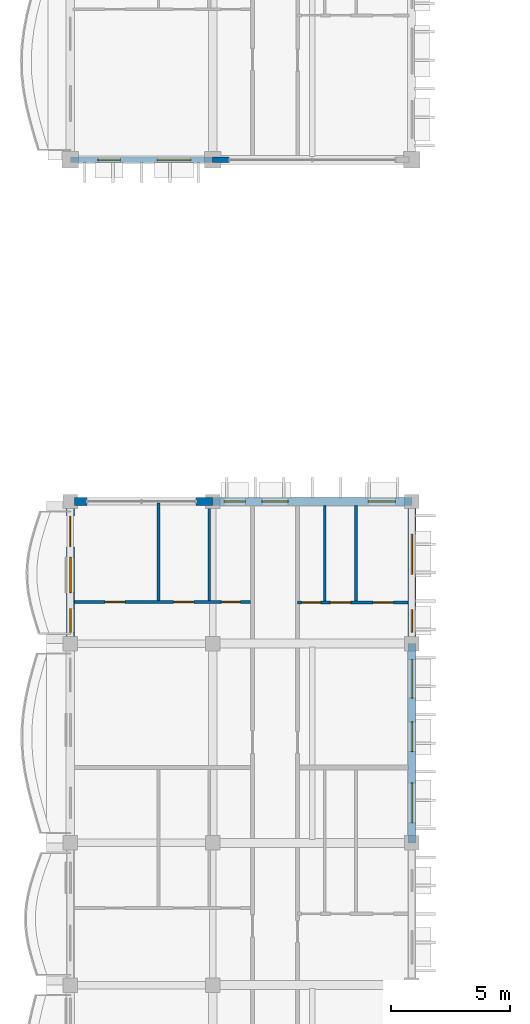
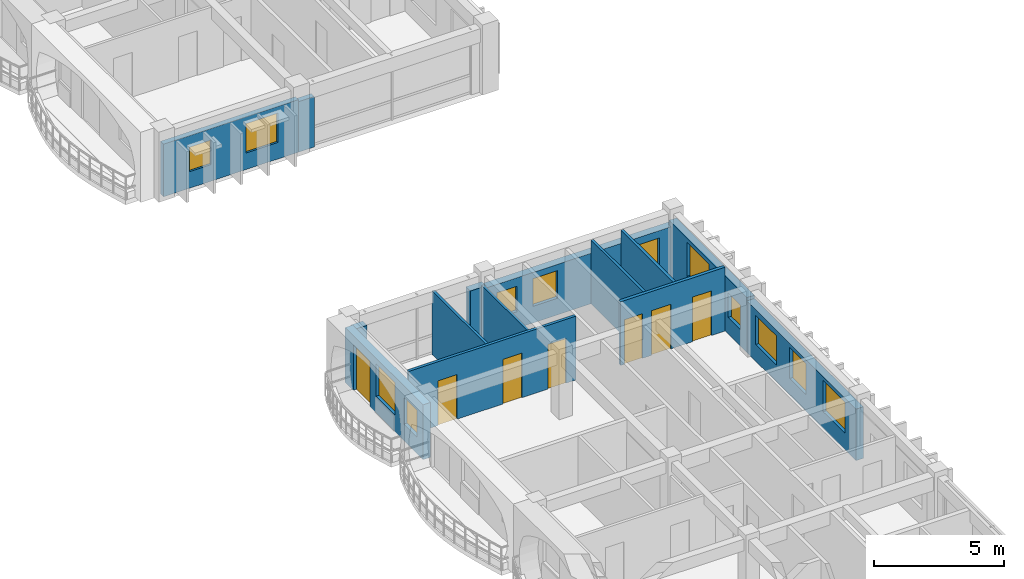
# One storey, part 30 of 79: 14 walls, 12 windows, 7 doors, 19 openings.
"""IFC4 building model written with IfcOpenShell, lengths in metres."""

from ifc_helpers import new_model, si_unit, direction, frame, frame_2d, origin, place, context, subcontext, project, spatial, rectangle, extrude, material, layer, layer_set, type_object, element, fill, save


model = new_model("IFC4")

# Units and contexts
model_context = context("Model", 3, precision=1e-05, world=origin(), true_north=direction((0.0, 1.0)))
body_context = subcontext(model_context, "Body", "Model", "MODEL_VIEW")
ifc_project = project(units=[si_unit("LENGTHUNIT", "METRE"), si_unit("AREAUNIT", "SQUARE_METRE"), si_unit("VOLUMEUNIT", "CUBIC_METRE"), si_unit("PLANEANGLEUNIT", "RADIAN"), si_unit("MASSUNIT", "GRAM", prefix="KILO"), si_unit("THERMODYNAMICTEMPERATUREUNIT", "KELVIN")], contexts=[model_context])

# Site, building, storey
site_placement = place(None, origin())
site = spatial("IfcSite", under=ifc_project, at=site_placement, CompositionType="ELEMENT")
building_placement = place(site_placement, origin())
building = spatial("IfcBuilding", under=site, at=building_placement, Name="Thalorik Housing Commons", CompositionType="ELEMENT")
storey_placement = place(building_placement, frame((0.0, 0.0, 11.39990234375)))
storey = spatial("IfcBuildingStorey", under=building, at=storey_placement, Name="L03", CompositionType="ELEMENT", Elevation=11.39990234375)

# Wall, openings, windows
ifc_material_1 = material(Name="White precast concrete C40/50", Category="concrete")
ifc_layer_1 = layer(ifc_material_1, 0.235107421875, Name="White precast concrete C40/50", Category="concrete")
ifc_layer_set_1 = layer_set([ifc_layer_1], Name="White precast concrete C40/50")
wall_type_1 = type_object("IfcWallType", Name="ARC-WAL-EXT-235", PredefinedType="STANDARD", material=ifc_layer_set_1)
wall_1_placement = place(storey_placement, frame((8.39990234375, 72.0, 0.0), z_axis=(0.0, 0.0, 1.0), x_axis=(1.0, 0.0, 0.0)))
wall_1 = element("IfcWall", 1, at=wall_1_placement, inside=storey, type_object=wall_type_1, Name="L03 Exterior Wall WAL-EXT-L03-A-0106", PredefinedType="STANDARD", context=body_context, shape_type="SweptSolid", body=[
    extrude(rectangle(XDim=6.0, YDim=0.235107421875, at=frame_2d((3.0, 0.0))), origin(), (0.0, 0.0, 1.0), 2.47509765625),
])
opening_1_placement = place(wall_1_placement, frame((1.155029296875, 0.0, 0.780029296875)))
opening_1 = element("IfcOpeningElement", 2, at=opening_1_placement, cuts=wall_1, Name="Opening W-43", PredefinedType="OPENING", context=body_context, shape_type="SweptSolid", body=[
    extrude(rectangle(XDim=0.949951171875, YDim=1.14990234375, at=frame_2d((0.47509765625, 0.574951171875))), frame((0.0, 0.12744140625, 0.0), z_axis=(0.0, -1.0, 0.0), x_axis=(1.0, 0.0, 0.0)), (0.0, 0.0, 1.0), 0.255126953125),
])
opening_2_placement = place(wall_1_placement, frame((3.659912109375, 0.0, 0.780029296875)))
opening_2 = element("IfcOpeningElement", 3, at=opening_2_placement, cuts=wall_1, Name="Opening W-50", PredefinedType="OPENING", context=body_context, shape_type="SweptSolid", body=[
    extrude(rectangle(XDim=1.419921875, YDim=1.3798828125, at=frame_2d((0.7099609375, 0.68994140625))), frame((0.0, 0.12744140625, 0.0), z_axis=(0.0, -1.0, 0.0), x_axis=(1.0, 0.0, 0.0)), (0.0, 0.0, 1.0), 0.255126953125),
])
ifc_material_2 = material(Name="Anodised aluminium and solar-control low-E glass", Category="aluminium")
window_type_1 = type_object("IfcWindowType", Name="ARC-WIN-43", PartitioningType="SINGLE_PANEL", PredefinedType="WINDOW", material=ifc_material_2)
window_1_placement = place(opening_1_placement, origin())
window_1 = element("IfcWindow", 4, at=window_1_placement, inside=storey, type_object=window_type_1, Name="L03 Facade Window 186", OverallHeight=1.14990234375, OverallWidth=0.949951171875, PartitioningType="SINGLE_PANEL", PredefinedType="WINDOW", context=body_context, shape_type="SweptSolid", body=[
    extrude(rectangle(XDim=0.949951171875, YDim=1.14990234375, at=frame_2d((0.47509765625, 0.574951171875))), frame((0.0, 0.030029296875, 0.0), z_axis=(0.0, -1.0, 0.0), x_axis=(1.0, 0.0, 0.0)), (0.0, 0.0, 1.0), 0.06005859375),
])
fill(opening_1, window_1)
window_type_2 = type_object("IfcWindowType", Name="ARC-WIN-50", PartitioningType="SINGLE_PANEL", PredefinedType="WINDOW", material=ifc_material_2)
window_2_placement = place(opening_2_placement, origin())
window_2 = element("IfcWindow", 5, at=window_2_placement, inside=storey, type_object=window_type_2, Name="L03 Facade Window 187", OverallHeight=1.3798828125, OverallWidth=1.419921875, PartitioningType="SINGLE_PANEL", PredefinedType="WINDOW", context=body_context, shape_type="SweptSolid", body=[
    extrude(rectangle(XDim=1.419921875, YDim=1.3798828125, at=frame_2d((0.7099609375, 0.68994140625))), frame((0.0, 0.030029296875, 0.0), z_axis=(0.0, -1.0, 0.0), x_axis=(1.0, 0.0, 0.0)), (0.0, 0.0, 1.0), 0.06005859375),
])
fill(opening_2, window_2)

# Wall
wall_2_placement = place(storey_placement, frame((14.39990234375, 72.0, 0.0), z_axis=(0.0, 0.0, 1.0), x_axis=(1.0, 0.0, 0.0)))
element("IfcWall", 6, at=wall_2_placement, inside=storey, type_object=wall_type_1, Name="L03 Exterior Wall WAL-PIERL-L03-A-0107", PredefinedType="STANDARD", context=body_context, shape_type="SweptSolid", body=[
    extrude(rectangle(XDim=0.7001953125, YDim=0.235107421875, at=frame_2d((0.35009765625, 0.0))), origin(), (0.0, 0.0, 1.0), 2.375),
])

# Wall, openings, windows
ifc_layer_2 = layer(ifc_material_1, 0.3349609375, Name="White precast concrete C40/50", Category="concrete")
ifc_layer_set_2 = layer_set([ifc_layer_2], Name="White precast concrete C40/50")
wall_type_2 = type_object("IfcWallType", Name="ARC-WAL-EXT-335", PredefinedType="STANDARD", material=ifc_layer_set_2)
wall_3_placement = place(storey_placement, frame((22.800048828125, 43.199951171875, 0.0), z_axis=(0.0, 0.0, 1.0), x_axis=(0.0, 1.0, 0.0)))
wall_3 = element("IfcWall", 7, at=wall_3_placement, inside=storey, type_object=wall_type_2, Name="L03 Exterior Wall WAL-EXT-L03-C-0908", PredefinedType="STANDARD", context=body_context, shape_type="SweptSolid", body=[
    extrude(rectangle(XDim=8.400146484375, YDim=0.3349609375, at=frame_2d((4.2001953125, 0.0))), origin(), (0.0, 0.0, 1.0), 2.425048828125),
])
opening_3_placement = place(wall_3_placement, frame((0.844970703125, 0.0, 0.780029296875)))
opening_3 = element("IfcOpeningElement", 8, at=opening_3_placement, cuts=wall_3, Name="Opening W-55", PredefinedType="OPENING", context=body_context, shape_type="SweptSolid", body=[
    extrude(rectangle(XDim=1.679931640625, YDim=1.4599609375, at=frame_2d((0.83984375, 0.72998046875))), frame((0.0, 0.177490234375, 0.0), z_axis=(0.0, -1.0, 0.0), x_axis=(1.0, 0.0, 0.0)), (0.0, 0.0, 1.0), 0.35498046875),
])
opening_4_placement = place(wall_3_placement, frame((3.847412109375, 0.0, 0.780029296875)))
opening_4 = element("IfcOpeningElement", 9, at=opening_4_placement, cuts=wall_3, Name="Opening W-47", PredefinedType="OPENING", context=body_context, shape_type="SweptSolid", body=[
    extrude(rectangle(XDim=1.25, YDim=1.449951171875, at=frame_2d((0.625, 0.72509765625))), frame((0.0, 0.177490234375, 0.0), z_axis=(0.0, -1.0, 0.0), x_axis=(1.0, 0.0, 0.0)), (0.0, 0.0, 1.0), 0.35498046875),
])
opening_5_placement = place(wall_3_placement, frame((6.107421875, 0.0, 0.780029296875)))
opening_5 = element("IfcOpeningElement", 10, at=opening_5_placement, cuts=wall_3, Name="Opening W-54", PredefinedType="OPENING", context=body_context, shape_type="SweptSolid", body=[
    extrude(rectangle(XDim=1.6201171875, YDim=1.3798828125, at=frame_2d((0.81005859375, 0.68994140625))), frame((0.0, 0.177490234375, 0.0), z_axis=(0.0, -1.0, 0.0), x_axis=(1.0, 0.0, 0.0)), (0.0, 0.0, 1.0), 0.35498046875),
])
window_type_3 = type_object("IfcWindowType", Name="ARC-WIN-47", PartitioningType="SINGLE_PANEL", PredefinedType="WINDOW", material=ifc_material_2)
window_3_placement = place(opening_4_placement, origin())
window_3 = element("IfcWindow", 11, at=window_3_placement, inside=storey, type_object=window_type_3, Name="L03 Facade Window 1680", OverallHeight=1.449951171875, OverallWidth=1.25, PartitioningType="SINGLE_PANEL", PredefinedType="WINDOW", context=body_context, shape_type="SweptSolid", body=[
    extrude(rectangle(XDim=1.25, YDim=1.449951171875, at=frame_2d((0.625, 0.72509765625))), frame((0.0, 0.030029296875, 0.0), z_axis=(0.0, -1.0, 0.0), x_axis=(1.0, 0.0, 0.0)), (0.0, 0.0, 1.0), 0.06005859375),
])
fill(opening_4, window_3)
window_type_4 = type_object("IfcWindowType", Name="ARC-WIN-54", PartitioningType="DOUBLE_PANEL_VERTICAL", PredefinedType="WINDOW", material=ifc_material_2)
window_4_placement = place(opening_5_placement, origin())
window_4 = element("IfcWindow", 12, at=window_4_placement, inside=storey, type_object=window_type_4, Name="L03 Facade Window 1681", OverallHeight=1.3798828125, OverallWidth=1.6201171875, PartitioningType="DOUBLE_PANEL_VERTICAL", PredefinedType="WINDOW", context=body_context, shape_type="SweptSolid", body=[
    extrude(rectangle(XDim=1.6201171875, YDim=1.3798828125, at=frame_2d((0.81005859375, 0.68994140625))), frame((0.0, 0.030029296875, 0.0), z_axis=(0.0, -1.0, 0.0), x_axis=(1.0, 0.0, 0.0)), (0.0, 0.0, 1.0), 0.06005859375),
])
fill(opening_5, window_4)
window_type_5 = type_object("IfcWindowType", Name="ARC-WIN-55", PartitioningType="DOUBLE_PANEL_VERTICAL", PredefinedType="WINDOW", material=ifc_material_2)
window_5_placement = place(opening_3_placement, origin())
window_5 = element("IfcWindow", 13, at=window_5_placement, inside=storey, type_object=window_type_5, Name="L03 Facade Window 1679", OverallHeight=1.4599609375, OverallWidth=1.679931640625, PartitioningType="DOUBLE_PANEL_VERTICAL", PredefinedType="WINDOW", context=body_context, shape_type="SweptSolid", body=[
    extrude(rectangle(XDim=1.679931640625, YDim=1.4599609375, at=frame_2d((0.83984375, 0.72998046875))), frame((0.0, 0.030029296875, 0.0), z_axis=(0.0, -1.0, 0.0), x_axis=(1.0, 0.0, 0.0)), (0.0, 0.0, 1.0), 0.06005859375),
])
fill(opening_3, window_5)

wall_4_placement = place(storey_placement, frame((22.800048828125, 51.60009765625, 0.0), z_axis=(0.0, 0.0, 1.0), x_axis=(0.0, 1.0, 0.0)))
wall_4 = element("IfcWall", 14, at=wall_4_placement, inside=storey, type_object=wall_type_2, Name="L03 Exterior Wall WAL-EXT-L03-C-0909", PredefinedType="STANDARD", context=body_context, shape_type="SweptSolid", body=[
    extrude(rectangle(XDim=6.0, YDim=0.3349609375, at=frame_2d((3.0, 0.0))), origin(), (0.0, 0.0, 1.0), 2.5751953125),
])
opening_6_placement = place(wall_4_placement, frame((0.48828125, 0.0, 0.780029296875)))
opening_6 = element("IfcOpeningElement", 15, at=opening_6_placement, cuts=wall_4, Name="Opening W-43", PredefinedType="OPENING", context=body_context, shape_type="SweptSolid", body=[
    extrude(rectangle(XDim=0.949951171875, YDim=1.14990234375, at=frame_2d((0.47509765625, 0.574951171875))), frame((0.0, 0.177490234375, 0.0), z_axis=(0.0, -1.0, 0.0), x_axis=(1.0, 0.0, 0.0)), (0.0, 0.0, 1.0), 0.35498046875),
])
opening_7_placement = place(wall_4_placement, frame((2.92333984375, 0.0, 0.780029296875)))
opening_7 = element("IfcOpeningElement", 16, at=opening_7_placement, cuts=wall_4, Name="Opening W-16", PredefinedType="OPENING", context=body_context, shape_type="SweptSolid", body=[
    extrude(rectangle(XDim=1.699951171875, YDim=1.60009765625, at=frame_2d((0.85009765625, 0.800048828125))), frame((0.0, 0.177490234375, 0.0), z_axis=(0.0, -1.0, 0.0), x_axis=(1.0, 0.0, 0.0)), (0.0, 0.0, 1.0), 0.35498046875),
])
window_type_6 = type_object("IfcWindowType", Name="ARC-WIN-16", PartitioningType="DOUBLE_PANEL_VERTICAL", PredefinedType="WINDOW", material=ifc_material_2)
window_6_placement = place(opening_7_placement, origin())
window_6 = element("IfcWindow", 17, at=window_6_placement, inside=storey, type_object=window_type_6, Name="L03 Facade Window 1683", OverallHeight=1.60009765625, OverallWidth=1.699951171875, PartitioningType="DOUBLE_PANEL_VERTICAL", PredefinedType="WINDOW", context=body_context, shape_type="SweptSolid", body=[
    extrude(rectangle(XDim=1.699951171875, YDim=1.60009765625, at=frame_2d((0.85009765625, 0.800048828125))), frame((0.0, 0.030029296875, 0.0), z_axis=(0.0, -1.0, 0.0), x_axis=(1.0, 0.0, 0.0)), (0.0, 0.0, 1.0), 0.06005859375),
])
fill(opening_7, window_6)
window_7_placement = place(opening_6_placement, origin())
window_7 = element("IfcWindow", 18, at=window_7_placement, inside=storey, type_object=window_type_1, Name="L03 Facade Window 1682", OverallHeight=1.14990234375, OverallWidth=0.949951171875, PartitioningType="SINGLE_PANEL", PredefinedType="WINDOW", context=body_context, shape_type="SweptSolid", body=[
    extrude(rectangle(XDim=0.949951171875, YDim=1.14990234375, at=frame_2d((0.47509765625, 0.574951171875))), frame((0.0, 0.030029296875, 0.0), z_axis=(0.0, -1.0, 0.0), x_axis=(1.0, 0.0, 0.0)), (0.0, 0.0, 1.0), 0.06005859375),
])
fill(opening_6, window_7)

wall_5_placement = place(storey_placement, frame((22.800048828125, 57.60009765625, 0.0), z_axis=(0.0, 0.0, 1.0), x_axis=(-1.0, 0.0, 0.0)))
wall_5 = element("IfcWall", 19, at=wall_5_placement, inside=storey, type_object=wall_type_2, Name="L03 Exterior Wall WAL-EXT-L03-C-0910", PredefinedType="STANDARD", context=body_context, shape_type="SweptSolid", body=[
    extrude(rectangle(XDim=8.400146484375, YDim=0.3349609375, at=frame_2d((4.2001953125, 0.0))), origin(), (0.0, 0.0, 1.0), 2.375),
])
opening_8_placement = place(wall_5_placement, frame((0.6923828125, 0.0, 0.780029296875)))
opening_8 = element("IfcOpeningElement", 20, at=opening_8_placement, cuts=wall_5, Name="Opening W-45", PredefinedType="OPENING", context=body_context, shape_type="SweptSolid", body=[
    extrude(rectangle(XDim=1.14990234375, YDim=1.25, at=frame_2d((0.574951171875, 0.625))), frame((0.0, 0.177490234375, 0.0), z_axis=(0.0, -1.0, 0.0), x_axis=(1.0, 0.0, 0.0)), (0.0, 0.0, 1.0), 0.35498046875),
])
opening_9_placement = place(wall_5_placement, frame((5.219970703125, 0.0, 0.780029296875)))
opening_9 = element("IfcOpeningElement", 21, at=opening_9_placement, cuts=wall_5, Name="Opening W-03", PredefinedType="OPENING", context=body_context, shape_type="SweptSolid", body=[
    extrude(rectangle(XDim=1.10009765625, YDim=1.300048828125, at=frame_2d((0.550048828125, 0.64990234375))), frame((0.0, 0.177490234375, 0.0), z_axis=(0.0, -1.0, 0.0), x_axis=(1.0, 0.0, 0.0)), (0.0, 0.0, 1.0), 0.35498046875),
])
opening_10_placement = place(wall_5_placement, frame((7.014892578125, 0.0, 0.780029296875)))
opening_10 = element("IfcOpeningElement", 22, at=opening_10_placement, cuts=wall_5, Name="Opening W-01", PredefinedType="OPENING", context=body_context, shape_type="SweptSolid", body=[
    extrude(rectangle(XDim=0.89990234375, YDim=1.199951171875, at=frame_2d((0.449951171875, 0.60009765625))), frame((0.0, 0.177490234375, 0.0), z_axis=(0.0, -1.0, 0.0), x_axis=(1.0, 0.0, 0.0)), (0.0, 0.0, 1.0), 0.35498046875),
])
window_type_7 = type_object("IfcWindowType", Name="ARC-WIN-01", PartitioningType="SINGLE_PANEL", PredefinedType="WINDOW", material=ifc_material_2)
window_8_placement = place(opening_10_placement, origin())
window_8 = element("IfcWindow", 23, at=window_8_placement, inside=storey, type_object=window_type_7, Name="L03 Facade Window 1686", OverallHeight=1.199951171875, OverallWidth=0.89990234375, PartitioningType="SINGLE_PANEL", PredefinedType="WINDOW", context=body_context, shape_type="SweptSolid", body=[
    extrude(rectangle(XDim=0.89990234375, YDim=1.199951171875, at=frame_2d((0.449951171875, 0.60009765625))), frame((0.0, 0.030029296875, 0.0), z_axis=(0.0, -1.0, 0.0), x_axis=(1.0, 0.0, 0.0)), (0.0, 0.0, 1.0), 0.06005859375),
])
fill(opening_10, window_8)
window_type_8 = type_object("IfcWindowType", Name="ARC-WIN-03", PartitioningType="SINGLE_PANEL", PredefinedType="WINDOW", material=ifc_material_2)
window_9_placement = place(opening_9_placement, origin())
window_9 = element("IfcWindow", 24, at=window_9_placement, inside=storey, type_object=window_type_8, Name="L03 Facade Window 1685", OverallHeight=1.300048828125, OverallWidth=1.10009765625, PartitioningType="SINGLE_PANEL", PredefinedType="WINDOW", context=body_context, shape_type="SweptSolid", body=[
    extrude(rectangle(XDim=1.10009765625, YDim=1.300048828125, at=frame_2d((0.550048828125, 0.64990234375))), frame((0.0, 0.030029296875, 0.0), z_axis=(0.0, -1.0, 0.0), x_axis=(1.0, 0.0, 0.0)), (0.0, 0.0, 1.0), 0.06005859375),
])
fill(opening_9, window_9)
window_type_9 = type_object("IfcWindowType", Name="ARC-WIN-45", PartitioningType="SINGLE_PANEL", PredefinedType="WINDOW", material=ifc_material_2)
window_10_placement = place(opening_8_placement, origin())
window_10 = element("IfcWindow", 25, at=window_10_placement, inside=storey, type_object=window_type_9, Name="L03 Facade Window 1684", OverallHeight=1.25, OverallWidth=1.14990234375, PartitioningType="SINGLE_PANEL", PredefinedType="WINDOW", context=body_context, shape_type="SweptSolid", body=[
    extrude(rectangle(XDim=1.14990234375, YDim=1.25, at=frame_2d((0.574951171875, 0.625))), frame((0.0, 0.030029296875, 0.0), z_axis=(0.0, -1.0, 0.0), x_axis=(1.0, 0.0, 0.0)), (0.0, 0.0, 1.0), 0.06005859375),
])
fill(opening_8, window_10)

# Walls
wall_6_placement = place(storey_placement, frame((14.39990234375, 57.60009765625, 0.0), z_axis=(0.0, 0.0, 1.0), x_axis=(-1.0, 0.0, 0.0)))
element("IfcWall", 26, at=wall_6_placement, inside=storey, type_object=wall_type_2, Name="L03 Exterior Wall WAL-PIERL-L03-C-0911", PredefinedType="STANDARD", context=body_context, shape_type="SweptSolid", body=[
    extrude(rectangle(XDim=0.699951171875, YDim=0.3349609375, at=frame_2d((0.35009765625, 0.0))), origin(), (0.0, 0.0, 1.0), 2.47509765625),
])
wall_7_placement = place(storey_placement, frame((9.10009765625, 57.60009765625, 0.0), z_axis=(0.0, 0.0, 1.0), x_axis=(-1.0, 0.0, 0.0)))
element("IfcWall", 27, at=wall_7_placement, inside=storey, type_object=wall_type_2, Name="L03 Exterior Wall WAL-PIERR-L03-C-0911", PredefinedType="STANDARD", context=body_context, shape_type="SweptSolid", body=[
    extrude(rectangle(XDim=0.530517578125, YDim=0.3349609375, at=frame_2d((0.26513671875, 0.0))), origin(), (0.0, 0.0, 1.0), 2.47509765625),
])

# Wall, openings, door, windows
wall_8_placement = place(storey_placement, frame((8.39990234375, 57.60009765625, 0.0), z_axis=(0.0, 0.0, 1.0), x_axis=(0.0, -1.0, 0.0)))
wall_8 = element("IfcWall", 28, at=wall_8_placement, inside=storey, type_object=wall_type_2, Name="L03 Exterior Wall WAL-EXT-L03-C-0912", PredefinedType="STANDARD", context=body_context, shape_type="SweptSolid", body=[
    extrude(rectangle(XDim=6.0, YDim=0.3349609375, at=frame_2d((3.0, 0.0))), origin(), (0.0, 0.0, 1.0), 2.5751953125),
])
opening_11_placement = place(wall_8_placement, frame((0.6201171875, 0.0, 0.0)))
opening_11 = element("IfcOpeningElement", 29, at=opening_11_placement, cuts=wall_8, Name="Opening ED-0298", PredefinedType="OPENING", context=body_context, shape_type="SweptSolid", body=[
    extrude(rectangle(XDim=1.300048828125, YDim=2.14990234375, at=frame_2d((0.64990234375, 1.074951171875))), frame((0.0, 0.177490234375, 0.0), z_axis=(0.0, -1.0, 0.0), x_axis=(1.0, 0.0, 0.0)), (0.0, 0.0, 1.0), 0.35498046875),
])
opening_12_placement = place(wall_8_placement, frame((2.364990234375, 0.0, 0.780029296875)))
opening_12 = element("IfcOpeningElement", 30, at=opening_12_placement, cuts=wall_8, Name="Opening W-51", PredefinedType="OPENING", context=body_context, shape_type="SweptSolid", body=[
    extrude(rectangle(XDim=1.47998046875, YDim=1.52001953125, at=frame_2d((0.739990234375, 0.760009765625))), frame((0.0, 0.177490234375, 0.0), z_axis=(0.0, -1.0, 0.0), x_axis=(1.0, 0.0, 0.0)), (0.0, 0.0, 1.0), 0.35498046875),
])
opening_13_placement = place(wall_8_placement, frame((4.52490234375, 0.0, 0.780029296875)))
opening_13 = element("IfcOpeningElement", 31, at=opening_13_placement, cuts=wall_8, Name="Opening W-02", PredefinedType="OPENING", context=body_context, shape_type="SweptSolid", body=[
    extrude(rectangle(XDim=1.0, YDim=1.25, at=frame_2d((0.5, 0.625))), frame((0.0, 0.177490234375, 0.0), z_axis=(0.0, -1.0, 0.0), x_axis=(1.0, 0.0, 0.0)), (0.0, 0.0, 1.0), 0.35498046875),
])
ifc_material_3 = material(Name="Anodised aluminium and laminated safety glass", Category="aluminium")
door_type_1 = type_object("IfcDoorType", Name="ARC-DR-BAL-1300", OperationType="NOTDEFINED", PredefinedType="DOOR", material=ifc_material_3)
door_1_placement = place(opening_11_placement, frame((1.300048828125, 0.0, 0.0), z_axis=(0.0, 0.0, 1.0), x_axis=(-1.0, 0.0, 0.0)))
door_1 = element("IfcDoor", 32, at=door_1_placement, inside=storey, type_object=door_type_1, Name="L03 Block C Balcony Glazed Door", OperationType="SINGLE_SWING_LEFT", OverallHeight=2.14990234375, OverallWidth=1.300048828125, PredefinedType="DOOR", context=body_context, shape_type="SweptSolid", body=[
    extrude(rectangle(XDim=1.300048828125, YDim=2.14990234375, at=frame_2d((0.64990234375, 1.074951171875))), frame((0.0, 0.02490234375, 0.0), z_axis=(0.0, -1.0, 0.0), x_axis=(1.0, 0.0, 0.0)), (0.0, 0.0, 1.0), 0.050048828125),
])
fill(opening_11, door_1)
window_type_10 = type_object("IfcWindowType", Name="ARC-WIN-02", PartitioningType="SINGLE_PANEL", PredefinedType="WINDOW", material=ifc_material_2)
window_11_placement = place(opening_13_placement, origin())
window_11 = element("IfcWindow", 33, at=window_11_placement, inside=storey, type_object=window_type_10, Name="L03 Facade Window 1688", OverallHeight=1.25, OverallWidth=1.0, PartitioningType="SINGLE_PANEL", PredefinedType="WINDOW", context=body_context, shape_type="SweptSolid", body=[
    extrude(rectangle(XDim=1.0, YDim=1.25, at=frame_2d((0.5, 0.625))), frame((0.0, 0.030029296875, 0.0), z_axis=(0.0, -1.0, 0.0), x_axis=(1.0, 0.0, 0.0)), (0.0, 0.0, 1.0), 0.06005859375),
])
fill(opening_13, window_11)
window_type_11 = type_object("IfcWindowType", Name="ARC-WIN-51", PartitioningType="SINGLE_PANEL", PredefinedType="WINDOW", material=ifc_material_2)
window_12_placement = place(opening_12_placement, origin())
window_12 = element("IfcWindow", 34, at=window_12_placement, inside=storey, type_object=window_type_11, Name="L03 Facade Window 1687", OverallHeight=1.52001953125, OverallWidth=1.47998046875, PartitioningType="SINGLE_PANEL", PredefinedType="WINDOW", context=body_context, shape_type="SweptSolid", body=[
    extrude(rectangle(XDim=1.47998046875, YDim=1.52001953125, at=frame_2d((0.739990234375, 0.760009765625))), frame((0.0, 0.030029296875, 0.0), z_axis=(0.0, -1.0, 0.0), x_axis=(1.0, 0.0, 0.0)), (0.0, 0.0, 1.0), 0.06005859375),
])
fill(opening_12, window_12)

# Walls
ifc_material_4 = material(Name="Gypsum light stud partition", Category="masonry")
ifc_layer_3 = layer(ifc_material_4, 0.10009765625, Name="Gypsum light stud partition", Category="masonry")
ifc_layer_set_3 = layer_set([ifc_layer_3], Name="Gypsum light stud partition")
wall_type_3 = type_object("IfcWallType", Name="ARC-WAL-PART-100", PredefinedType="PARTITIONING", material=ifc_layer_set_3)
wall_9_placement = place(storey_placement, frame((14.251220703125, 53.424560546875, 0.0), z_axis=(0.0, 0.0, 1.0), x_axis=(0.0, 1.0, 0.0)))
element("IfcWall", 35, at=wall_9_placement, inside=storey, type_object=wall_type_3, Name="L03 Unit 3 Wet Wall", PredefinedType="PARTITIONING", context=body_context, shape_type="SweptSolid", body=[
    extrude(rectangle(XDim=4.005859375, YDim=0.10009765625, at=frame_2d((2.0029296875, 0.0))), origin(), (0.0, 0.0, 1.0), 2.5751953125),
])
ifc_material_5 = material(Name="Gypsum moisture-resistant partition", Category="masonry")
ifc_layer_4 = layer(ifc_material_5, 0.114990234375, Name="Gypsum moisture-resistant partition", Category="masonry")
ifc_layer_set_4 = layer_set([ifc_layer_4], Name="Gypsum moisture-resistant partition")
wall_type_4 = type_object("IfcWallType", Name="ARC-WAL-PART-115", PredefinedType="PARTITIONING", material=ifc_layer_set_4)
wall_10_placement = place(storey_placement, frame((12.11767578125, 53.424560546875, 0.0), z_axis=(0.0, 0.0, 1.0), x_axis=(0.0, 1.0, 0.0)))
element("IfcWall", 36, at=wall_10_placement, inside=storey, type_object=wall_type_4, Name="L03 Unit 3 Bedroom Partition", PredefinedType="PARTITIONING", context=body_context, shape_type="SweptSolid", body=[
    extrude(rectangle(XDim=4.115478515625, YDim=0.114990234375, at=frame_2d((2.0576171875, 0.0))), origin(), (0.0, 0.0, 1.0), 3.0),
])
wall_11_placement = place(storey_placement, frame((19.122314453125, 53.40869140625, 0.0), z_axis=(0.0, 0.0, 1.0), x_axis=(0.0, 1.0, 0.0)))
element("IfcWall", 37, at=wall_11_placement, inside=storey, type_object=wall_type_4, Name="L03 Unit 3B Wet Wall", PredefinedType="PARTITIONING", context=body_context, shape_type="SweptSolid", body=[
    extrude(rectangle(XDim=4.021728515625, YDim=0.114990234375, at=frame_2d((2.0107421875, 0.0))), origin(), (0.0, 0.0, 1.0), 3.0),
])

# Wall, openings, doors
ifc_material_6 = material(Name="Gypsum acoustic stud partition", Category="masonry")
ifc_layer_5 = layer(ifc_material_6, 0.125, Name="Gypsum acoustic stud partition", Category="masonry")
ifc_layer_set_5 = layer_set([ifc_layer_5], Name="Gypsum acoustic stud partition")
wall_type_5 = type_object("IfcWallType", Name="ARC-WAL-PART-125", PredefinedType="PARTITIONING", material=ifc_layer_set_5)
wall_12_placement = place(storey_placement, frame((8.569580078125, 53.360107421875, 0.0), z_axis=(0.0, 0.0, 1.0), x_axis=(1.0, 0.0, 0.0)))
wall_12 = element("IfcWall", 38, at=wall_12_placement, inside=storey, type_object=wall_type_5, Name="L03 Unit 3 Spine Partition", PredefinedType="PARTITIONING", context=body_context, shape_type="SweptSolid", body=[
    extrude(rectangle(XDim=7.433349609375, YDim=0.125, at=frame_2d((3.716796875, 0.0))), origin(), (0.0, 0.0, 1.0), 3.0),
])
opening_14_placement = place(wall_12_placement, frame((1.294189453125, 0.0, 0.0)))
opening_14 = element("IfcOpeningElement", 39, at=opening_14_placement, cuts=wall_12, Name="Opening ID-1662", PredefinedType="OPENING", context=body_context, shape_type="SweptSolid", body=[
    extrude(rectangle(XDim=0.85009765625, YDim=2.10009765625, at=frame_2d((0.425048828125, 1.050048828125))), frame((0.0, 0.072509765625, 0.0), z_axis=(0.0, -1.0, 0.0), x_axis=(1.0, 0.0, 0.0)), (0.0, 0.0, 1.0), 0.14501953125),
])
opening_15_placement = place(wall_12_placement, frame((4.18994140625, 0.0, 0.0)))
opening_15 = element("IfcOpeningElement", 40, at=opening_15_placement, cuts=wall_12, Name="Opening ID-1663", PredefinedType="OPENING", context=body_context, shape_type="SweptSolid", body=[
    extrude(rectangle(XDim=0.85009765625, YDim=2.10009765625, at=frame_2d((0.425048828125, 1.050048828125))), frame((0.0, 0.072509765625, 0.0), z_axis=(0.0, -1.0, 0.0), x_axis=(1.0, 0.0, 0.0)), (0.0, 0.0, 1.0), 0.14501953125),
])
opening_16_placement = place(wall_12_placement, frame((6.196044921875, 0.0, 0.0)))
opening_16 = element("IfcOpeningElement", 41, at=opening_16_placement, cuts=wall_12, Name="Opening ID-1664", PredefinedType="OPENING", context=body_context, shape_type="SweptSolid", body=[
    extrude(rectangle(XDim=0.800048828125, YDim=2.10009765625, at=frame_2d((0.39990234375, 1.050048828125))), frame((0.0, 0.072509765625, 0.0), z_axis=(0.0, -1.0, 0.0), x_axis=(1.0, 0.0, 0.0)), (0.0, 0.0, 1.0), 0.14501953125),
])
ifc_material_7 = material(Name="Moisture-resistant timber", Category="wood")
door_type_2 = type_object("IfcDoorType", Name="ARC-DR-INT-800", OperationType="NOTDEFINED", PredefinedType="DOOR", material=ifc_material_7)
door_2_placement = place(opening_16_placement, origin())
door_2 = element("IfcDoor", 42, at=door_2_placement, inside=storey, type_object=door_type_2, Name="L03 Flat Bathroom Door", OperationType="SINGLE_SWING_LEFT", OverallHeight=2.10009765625, OverallWidth=0.800048828125, PredefinedType="DOOR", context=body_context, shape_type="SweptSolid", body=[
    extrude(rectangle(XDim=0.800048828125, YDim=2.10009765625, at=frame_2d((0.39990234375, 1.050048828125))), frame((0.0, 0.02490234375, 0.0), z_axis=(0.0, -1.0, 0.0), x_axis=(1.0, 0.0, 0.0)), (0.0, 0.0, 1.0), 0.050048828125),
])
fill(opening_16, door_2)
ifc_material_8 = material(Name="Engineered oak timber", Category="wood")
door_type_3 = type_object("IfcDoorType", Name="ARC-DR-INT-850", OperationType="NOTDEFINED", PredefinedType="DOOR", material=ifc_material_8)
door_3_placement = place(opening_14_placement, origin())
door_3 = element("IfcDoor", 43, at=door_3_placement, inside=storey, type_object=door_type_3, Name="L03 Double Bedroom Door", OperationType="SINGLE_SWING_LEFT", OverallHeight=2.10009765625, OverallWidth=0.85009765625, PredefinedType="DOOR", context=body_context, shape_type="SweptSolid", body=[
    extrude(rectangle(XDim=0.85009765625, YDim=2.10009765625, at=frame_2d((0.425048828125, 1.050048828125))), frame((0.0, 0.02490234375, 0.0), z_axis=(0.0, -1.0, 0.0), x_axis=(1.0, 0.0, 0.0)), (0.0, 0.0, 1.0), 0.050048828125),
])
fill(opening_14, door_3)
door_4_placement = place(opening_15_placement, origin())
door_4 = element("IfcDoor", 44, at=door_4_placement, inside=storey, type_object=door_type_3, Name="L03 Galley Kitchen Door", OperationType="SINGLE_SWING_RIGHT", OverallHeight=2.10009765625, OverallWidth=0.85009765625, PredefinedType="DOOR", context=body_context, shape_type="SweptSolid", body=[
    extrude(rectangle(XDim=0.85009765625, YDim=2.10009765625, at=frame_2d((0.425048828125, 1.050048828125))), frame((0.0, 0.02490234375, 0.0), z_axis=(0.0, -1.0, 0.0), x_axis=(1.0, 0.0, 0.0)), (0.0, 0.0, 1.0), 0.050048828125),
])
fill(opening_15, door_4)

# Wall
wall_13_placement = place(storey_placement, frame((20.455078125, 53.40869140625, 0.0), z_axis=(0.0, 0.0, 1.0), x_axis=(0.0, 1.0, 0.0)))
element("IfcWall", 45, at=wall_13_placement, inside=storey, type_object=wall_type_5, Name="L03 Unit 3B Bedroom Partition", PredefinedType="PARTITIONING", context=body_context, shape_type="SweptSolid", body=[
    extrude(rectangle(XDim=4.021728515625, YDim=0.125, at=frame_2d((2.0107421875, 0.0))), origin(), (0.0, 0.0, 1.0), 3.0),
])

# Wall, openings, doors
ifc_material_9 = material(Name="Ceramic masonry partition wall", Category="masonry")
ifc_layer_6 = layer(ifc_material_9, 0.139892578125, Name="Ceramic masonry partition wall", Category="masonry")
ifc_layer_set_6 = layer_set([ifc_layer_6], Name="Ceramic masonry partition wall")
wall_type_6 = type_object("IfcWallType", Name="ARC-WAL-PART-140", PredefinedType="PARTITIONING", material=ifc_layer_set_6)
wall_14_placement = place(storey_placement, frame((17.97998046875, 53.3369140625, 0.0), z_axis=(0.0, 0.0, 1.0), x_axis=(1.0, 0.0, 0.0)))
wall_14 = element("IfcWall", 46, at=wall_14_placement, inside=storey, type_object=wall_type_6, Name="L03 Unit 3B Spine Partition", PredefinedType="PARTITIONING", context=body_context, shape_type="SweptSolid", body=[
    extrude(rectangle(XDim=4.650634765625, YDim=0.139892578125, at=frame_2d((2.3251953125, 0.0))), origin(), (0.0, 0.0, 1.0), 3.0),
])
opening_17_placement = place(wall_14_placement, frame((0.171142578125, 0.0, 0.0)))
opening_17 = element("IfcOpeningElement", 47, at=opening_17_placement, cuts=wall_14, Name="Opening ID-1665", PredefinedType="OPENING", context=body_context, shape_type="SweptSolid", body=[
    extrude(rectangle(XDim=0.800048828125, YDim=2.10009765625, at=frame_2d((0.39990234375, 1.050048828125))), frame((0.0, 0.080078125, 0.0), z_axis=(0.0, -1.0, 0.0), x_axis=(1.0, 0.0, 0.0)), (0.0, 0.0, 1.0), 0.159912109375),
])
opening_18_placement = place(wall_14_placement, frame((1.3837890625, 0.0, 0.0)))
opening_18 = element("IfcOpeningElement", 48, at=opening_18_placement, cuts=wall_14, Name="Opening ID-1666", PredefinedType="OPENING", context=body_context, shape_type="SweptSolid", body=[
    extrude(rectangle(XDim=0.85009765625, YDim=2.10009765625, at=frame_2d((0.425048828125, 1.050048828125))), frame((0.0, 0.080078125, 0.0), z_axis=(0.0, -1.0, 0.0), x_axis=(1.0, 0.0, 0.0)), (0.0, 0.0, 1.0), 0.159912109375),
])
opening_19_placement = place(wall_14_placement, frame((3.192626953125, 0.0, 0.0)))
opening_19 = element("IfcOpeningElement", 49, at=opening_19_placement, cuts=wall_14, Name="Opening ID-1667", PredefinedType="OPENING", context=body_context, shape_type="SweptSolid", body=[
    extrude(rectangle(XDim=0.85009765625, YDim=2.10009765625, at=frame_2d((0.425048828125, 1.050048828125))), frame((0.0, 0.080078125, 0.0), z_axis=(0.0, -1.0, 0.0), x_axis=(1.0, 0.0, 0.0)), (0.0, 0.0, 1.0), 0.159912109375),
])
door_5_placement = place(opening_17_placement, origin())
door_5 = element("IfcDoor", 50, at=door_5_placement, inside=storey, type_object=door_type_2, Name="L03 Accessible Bathroom Door", OperationType="SINGLE_SWING_RIGHT", OverallHeight=2.10009765625, OverallWidth=0.800048828125, PredefinedType="DOOR", context=body_context, shape_type="SweptSolid", body=[
    extrude(rectangle(XDim=0.800048828125, YDim=2.10009765625, at=frame_2d((0.39990234375, 1.050048828125))), frame((0.0, 0.02490234375, 0.0), z_axis=(0.0, -1.0, 0.0), x_axis=(1.0, 0.0, 0.0)), (0.0, 0.0, 1.0), 0.050048828125),
])
fill(opening_17, door_5)
door_6_placement = place(opening_18_placement, origin())
door_6 = element("IfcDoor", 51, at=door_6_placement, inside=storey, type_object=door_type_3, Name="L03 Galley Kitchen Door", OperationType="SINGLE_SWING_LEFT", OverallHeight=2.10009765625, OverallWidth=0.85009765625, PredefinedType="DOOR", context=body_context, shape_type="SweptSolid", body=[
    extrude(rectangle(XDim=0.85009765625, YDim=2.10009765625, at=frame_2d((0.425048828125, 1.050048828125))), frame((0.0, 0.02490234375, 0.0), z_axis=(0.0, -1.0, 0.0), x_axis=(1.0, 0.0, 0.0)), (0.0, 0.0, 1.0), 0.050048828125),
])
fill(opening_18, door_6)
door_7_placement = place(opening_19_placement, origin())
door_7 = element("IfcDoor", 52, at=door_7_placement, inside=storey, type_object=door_type_3, Name="L03 Double Bedroom Door", OperationType="SINGLE_SWING_RIGHT", OverallHeight=2.10009765625, OverallWidth=0.85009765625, PredefinedType="DOOR", context=body_context, shape_type="SweptSolid", body=[
    extrude(rectangle(XDim=0.85009765625, YDim=2.10009765625, at=frame_2d((0.425048828125, 1.050048828125))), frame((0.0, 0.02490234375, 0.0), z_axis=(0.0, -1.0, 0.0), x_axis=(1.0, 0.0, 0.0)), (0.0, 0.0, 1.0), 0.050048828125),
])
fill(opening_19, door_7)

save(model, "model.ifc")
